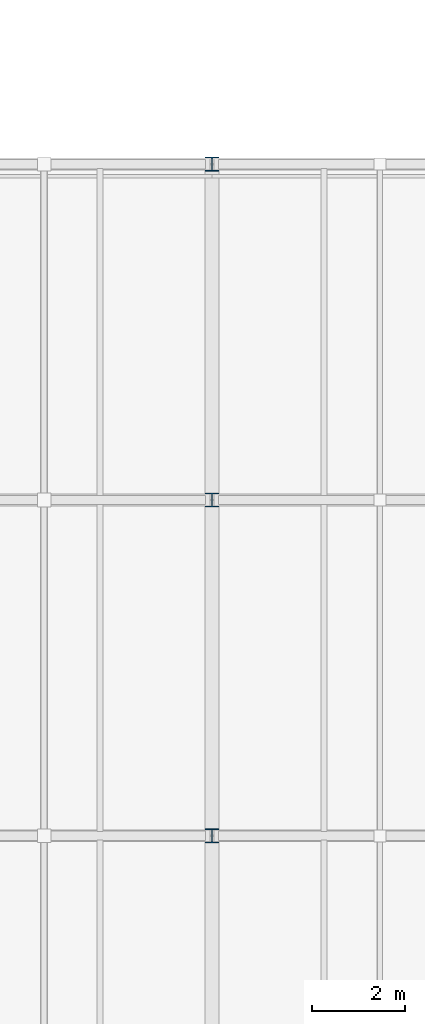
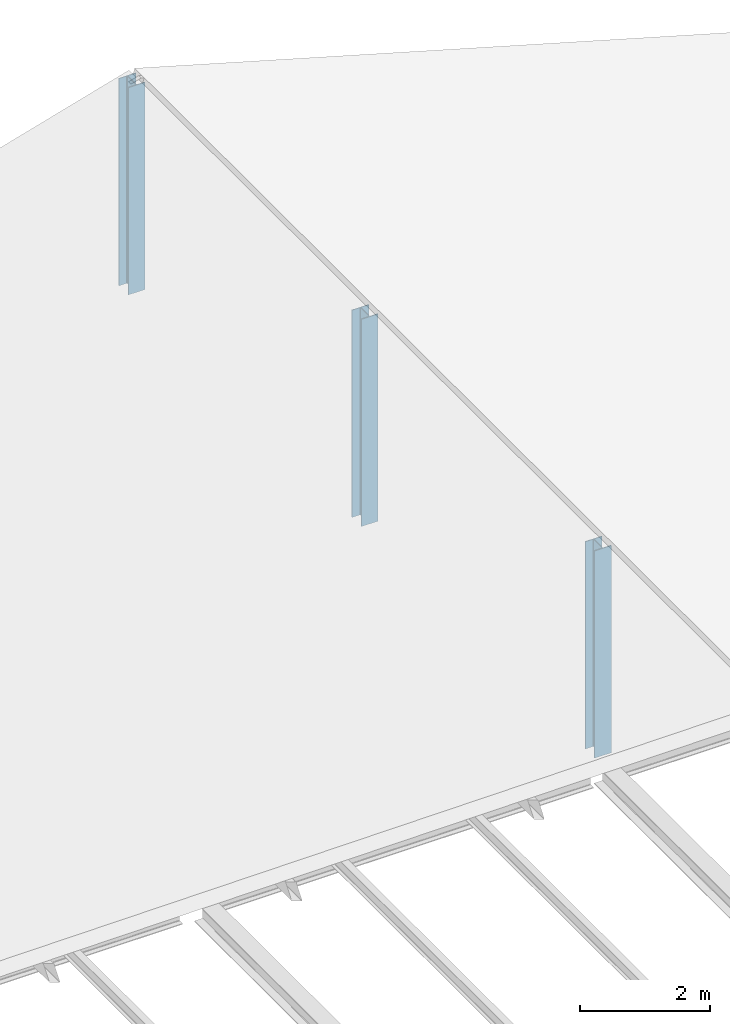
# One storey, part 4 of 32: 3 columns.
"""IFC4 building model written with IfcOpenShell, lengths in metres."""

from ifc_helpers import new_model, si_unit, direction, frame, origin, origin_2d, place, context, subcontext, project, spatial, i_section, extrude, material, material_profile, profile_set, type_object, element, save


model = new_model("IFC4")

# Units and contexts
model_context = context("Model", 3, precision=1e-05, world=origin(), true_north=direction((0.0, 1.0)))
body_context = subcontext(model_context, "Body", "Model", "MODEL_VIEW")
ifc_project = project(units=[si_unit("LENGTHUNIT", "METRE"), si_unit("AREAUNIT", "SQUARE_METRE"), si_unit("VOLUMEUNIT", "CUBIC_METRE"), si_unit("PLANEANGLEUNIT", "RADIAN"), si_unit("MASSUNIT", "GRAM", prefix="KILO")], contexts=[model_context])

# Site, building, storey
site_placement = place(None, origin())
site = spatial("IfcSite", under=ifc_project, at=site_placement, CompositionType="ELEMENT")
building_placement = place(site_placement, origin())
building = spatial("IfcBuilding", under=site, at=building_placement, Name="Qiaolan Assembly House", CompositionType="ELEMENT")
storey_placement = place(building_placement, frame((0.0, 0.0, 18.60009765625)))
storey = spatial("IfcBuildingStorey", under=building, at=storey_placement, Name="L04", CompositionType="ELEMENT", Elevation=18.60009765625)

# Columns
ifc_material = material(Name="Steel Q355B", Category="steel")
ifc_material_profile = material_profile(ifc_material, i_section(OverallWidth=0.300048828125, OverallDepth=0.300048828125, WebThickness=0.010009765625, FlangeThickness=0.014892578125, FilletRadius=0.01806640625, at=origin_2d()), Name="HW 300x300x10x15")
ifc_profile_set = profile_set([ifc_material_profile], Name="Steel Q355B")
column_type = type_object("IfcColumnType", Name="COL-STL-HW300", PredefinedType="COLUMN", material=ifc_profile_set)
for number, where, z_axis, x_axis, name in (
    (1, (158.39990234375, 72.0, 0.0), (0.0, 0.0, 1.0), (1.0, 0.0, 0.0), "SC-08 library roof ridge post L04"),
    (2, (158.39990234375, 79.199951171875, 0.0), (0.0, 0.0, 1.0), (1.0, 0.0, 0.0), "SC-08 library roof ridge post L04"),
    (3, (158.39990234375, 86.39990234375, 0.0), (0.0, 0.0, 1.0), (1.0, 0.0, 0.0), "SC-08 library roof ridge post L04"),
):
    element("IfcColumn", number, at=place(storey_placement, frame(where, z_axis=z_axis, x_axis=x_axis)), inside=storey, type_object=column_type, Name=name, PredefinedType="COLUMN", context=body_context, shape_type="SweptSolid", body=[
        extrude(i_section(OverallWidth=0.300048828125, OverallDepth=0.300048828125, WebThickness=0.010009765625, FlangeThickness=0.014892578125, FilletRadius=0.01806640625, at=origin_2d()), origin(), (0.0, 0.0, 1.0), 3.906982421875),
    ])

save(model, "model.ifc")
